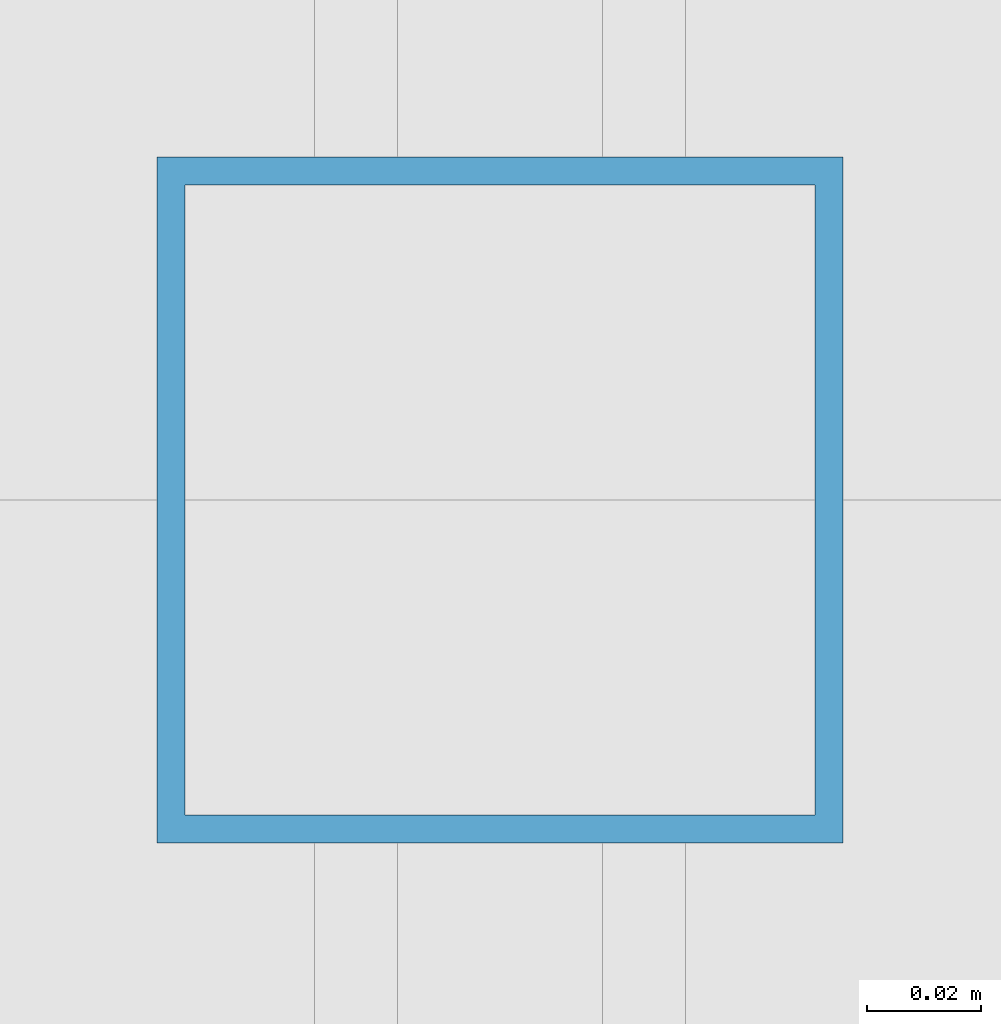
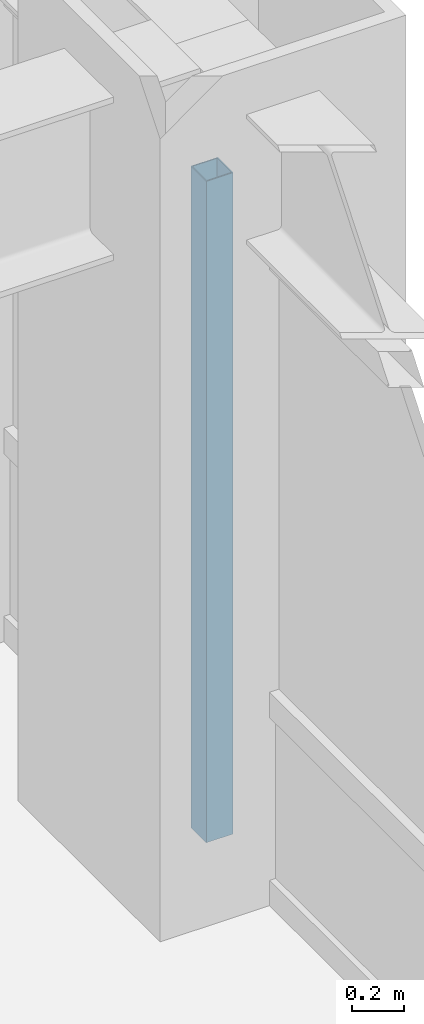
# One storey, part 10 of 24: 1 member, 1 element without a shape of its own.
"""IFC4 building model written with IfcOpenShell, lengths in metres."""

import ifcopenshell
import ifcopenshell.guid

model = None  # the IFC model being written
_history = None  # IfcOwnerHistory: only IFC2X3 demands one
_inside = {}  # id of a spatial element -> (the spatial element, [elements in it])
_under = {}  # id of a project, library or spatial element -> (it, [spatial elements below it])
_declared = {}  # id of a project -> (the project, [libraries it declares])
_typed = {}  # id of a type object -> (the type object, [elements of that type])
_made_of = {}  # id of a material, layer set ... -> (it, [elements and type objects made of it])


def new_model(schema):
    """Start an empty IFC model of exactly this schema.

    Asked for "IFC4X3", IfcOpenShell would pick the latest addendum, in which some entities
    have other attributes; the version numbers below select the first issue.
    IFC2X3 requires an IfcOwnerHistory on every rooted entity: one is made here for all.
    """
    global model, _history
    if schema == "IFC4X3":
        model = ifcopenshell.file(schema_version=(4, 3, 0, 0))
    else:
        model = ifcopenshell.file(schema=schema)
    _inside.clear()
    _under.clear()
    _declared.clear()
    _typed.clear()
    _made_of.clear()
    _history = None
    if model.schema == "IFC2X3":
        org = make("IfcOrganization", Name="unknown")
        user = make(
            "IfcPersonAndOrganization",
            ThePerson=make("IfcPerson", FamilyName="unknown"),
            TheOrganization=org,
        )
        app = make(
            "IfcApplication",
            ApplicationDeveloper=org,
            Version="unknown",
            ApplicationFullName="unknown",
            ApplicationIdentifier="unknown",
        )
        _history = make(
            "IfcOwnerHistory",
            OwningUser=user,
            OwningApplication=app,
            ChangeAction="ADDED",
            CreationDate=0,
        )
    return model


def make(cls, **values):
    """One entity of the class cls with the attributes given. An attribute that is None is left unset."""
    return model.create_entity(
        cls, **{name: value for name, value in values.items() if value is not None}
    )


def rooted(cls, **values):
    """An entity with a GlobalId (a new one), such as an element, a storey or a relation."""
    return make(cls, GlobalId=ifcopenshell.guid.new(), OwnerHistory=_history, **values)


def si_unit(unit_type, name, prefix=None):
    """IfcSIUnit, for example si_unit("LENGTHUNIT", "METRE", prefix="MILLI")."""
    return make("IfcSIUnit", UnitType=unit_type, Prefix=prefix, Name=name)


def assignment(units):
    """IfcUnitAssignment: the units of a project."""
    return None if units is None else make("IfcUnitAssignment", Units=units)


def point(xyz):
    """IfcCartesianPoint."""
    return None if xyz is None else make("IfcCartesianPoint", Coordinates=xyz)


def direction(xyz):
    """IfcDirection."""
    return None if xyz is None else make("IfcDirection", DirectionRatios=xyz)


def frame(location, z_axis=None, x_axis=None):
    """IfcAxis2Placement3D, a coordinate frame: its origin and axes. An axis left out is left unset."""
    return make(
        "IfcAxis2Placement3D",
        Location=point(location),
        Axis=direction(z_axis),
        RefDirection=direction(x_axis),
    )


def frame_2d(location, x_axis=None):
    """IfcAxis2Placement2D, a coordinate frame in the plane: its origin and x axis."""
    return make(
        "IfcAxis2Placement2D", Location=point(location), RefDirection=direction(x_axis)
    )


def origin():
    """The frame at (0, 0, 0) with its axes left unset."""
    return frame((0.0, 0.0, 0.0))


def origin_2d():
    """The frame at (0, 0) in the plane with its x axis left unset."""
    return frame_2d((0.0, 0.0))


def place(relative_to, where):
    """IfcLocalPlacement: puts the frame where relative to a parent placement (None: the world)."""
    return make(
        "IfcLocalPlacement", PlacementRelTo=relative_to, RelativePlacement=where
    )


def context(
    kind, dimensions, precision=None, world=None, true_north=None, identifier=None
):
    """IfcGeometricRepresentationContext, for example the 3D "Model" context."""
    return make(
        "IfcGeometricRepresentationContext",
        ContextIdentifier=identifier,
        ContextType=kind,
        CoordinateSpaceDimension=dimensions,
        Precision=precision,
        WorldCoordinateSystem=world,
        TrueNorth=true_north,
    )


def subcontext(parent, identifier, kind, view, scale=None):
    """IfcGeometricRepresentationSubContext, for example "Body" below "Model"."""
    return make(
        "IfcGeometricRepresentationSubContext",
        ContextIdentifier=identifier,
        ContextType=kind,
        ParentContext=parent,
        TargetScale=scale,
        TargetView=view,
    )


def project(units=None, contexts=None):
    """IfcProject with its units and contexts."""
    return rooted(
        "IfcProject",
        Name="project",
        RepresentationContexts=contexts,
        UnitsInContext=assignment(units),
    )


def spatial(cls, under=None, at=None, **own):
    """A site, building, storey or space (cls), placed at a placement, below another one or the project."""
    s = rooted(cls, ObjectPlacement=at, **own)
    if under is not None:
        _under.setdefault(under.id(), (under, []))[1].append(s)
    return s


def profile(cls, at=None, kind="AREA", **sizes):
    """A parametric profile (cls). Its sizes go by their IFC names, for example OverallWidth=200.0."""
    return make(cls, ProfileType=kind, Position=at, **sizes)


def hollow_rectangle(**sizes):
    """IfcRectangleHollowProfileDef."""
    return profile("IfcRectangleHollowProfileDef", **sizes)


def extrude(swept, where, along, depth):
    """IfcExtrudedAreaSolid: the profile swept, set in the frame where, extruded along a direction by depth."""
    return make(
        "IfcExtrudedAreaSolid",
        SweptArea=swept,
        Position=where,
        ExtrudedDirection=direction(along),
        Depth=depth,
    )


def shape(context_of_items, identifier, shape_type, items):
    """IfcShapeRepresentation: the items that make up one representation, for example the "Body"."""
    return make(
        "IfcShapeRepresentation",
        ContextOfItems=context_of_items,
        RepresentationIdentifier=identifier,
        RepresentationType=shape_type,
        Items=items,
    )


def source(mapping_origin, context_of_items, identifier, shape_type, items):
    """IfcRepresentationMap: a shape defined once, which mapped items show again and again."""
    return make(
        "IfcRepresentationMap",
        MappingOrigin=mapping_origin,
        MappedRepresentation=shape(context_of_items, identifier, shape_type, items),
    )


def transform(
    local_origin,
    x_axis=None,
    y_axis=None,
    z_axis=None,
    scale=None,
    scale2=None,
    scale3=None,
    uniform=True,
):
    """IfcCartesianTransformationOperator3D, or its non-uniform kind. x_axis, y_axis, z_axis: its Axis1, 2, 3."""
    if uniform:
        return make(
            "IfcCartesianTransformationOperator3D",
            Axis1=direction(x_axis),
            Axis2=direction(y_axis),
            LocalOrigin=point(local_origin),
            Scale=scale,
            Axis3=direction(z_axis),
        )
    return make(
        "IfcCartesianTransformationOperator3DnonUniform",
        Axis1=direction(x_axis),
        Axis2=direction(y_axis),
        LocalOrigin=point(local_origin),
        Scale=scale,
        Axis3=direction(z_axis),
        Scale2=scale2,
        Scale3=scale3,
    )


def mapped(mapping_source, mapping_target):
    """IfcMappedItem: shows the shape of a source again, moved by a transform."""
    return make(
        "IfcMappedItem", MappingSource=mapping_source, MappingTarget=mapping_target
    )


def material(Name=None, Category=None):
    """IfcMaterial."""
    return make("IfcMaterial", Name=Name, Category=Category)


def material_profile(
    of_material, cross_section, Name=None, Category=None, Priority=None
):
    """IfcMaterialProfile: a cross section and its material."""
    return make(
        "IfcMaterialProfile",
        Name=Name,
        Material=of_material,
        Profile=cross_section,
        Priority=Priority,
        Category=Category,
    )


def profile_set(profiles, Name=None, composite=None):
    """IfcMaterialProfileSet."""
    return make(
        "IfcMaterialProfileSet",
        Name=Name,
        MaterialProfiles=profiles,
        CompositeProfile=composite,
    )


def made_of(thing, what):
    """Note that an element or type object is made of a material, layer set ...; save() writes the relation."""
    if what is not None:
        _made_of.setdefault(what.id(), (what, []))[1].append(thing)
    return thing


def type_object(cls, material=None, **own):
    """A type object (cls), such as IfcWallType, which elements share."""
    return made_of(rooted(cls, **own), material)


def element(
    cls,
    number,
    at=None,
    inside=None,
    cuts=None,
    type_object=None,
    material=None,
    context=None,
    identifier="Body",
    shape_type=None,
    held_by="IfcProductDefinitionShape",
    body=None,
    shapes=None,
    **own,
):
    """One element of the class cls, such as IfcWall. Its Tag is "e" and its number.

    at: its placement. inside: the storey or other place that contains it. cuts: it is an
    opening in that element (IfcRelVoidsElement). A single representation is given by context,
    identifier, shape_type and body (its items); several are given by shapes. held_by: the class
    of the entity that holds the representations. save() writes the other relations.
    """
    e = rooted(cls, Tag="e%d" % number, ObjectPlacement=at, **own)
    if body is not None:
        shapes = [shape(context, identifier, shape_type, body)]
    if shapes is not None:
        e.Representation = make(held_by, Representations=shapes)
    if inside is not None:
        _inside.setdefault(inside.id(), (inside, []))[1].append(e)
    if cuts is not None:
        rooted(
            "IfcRelVoidsElement", RelatingBuildingElement=cuts, RelatedOpeningElement=e
        )
    if type_object is not None:
        _typed.setdefault(type_object.id(), (type_object, []))[1].append(e)
    return made_of(e, material)


def aggregate(whole, parts):
    """IfcRelAggregates: a whole, such as a stair, and the parts it consists of."""
    return rooted("IfcRelAggregates", RelatingObject=whole, RelatedObjects=parts)


def save(model, path):
    """Write the relations noted so far, then the file.

    IfcRelAggregates (storeys below a building ...), IfcRelContainedInSpatialStructure (elements
    in a storey), IfcRelDefinesByType, IfcRelAssociatesMaterial and IfcRelDeclares: one each for
    every whole, place, type object, material and project.
    """
    for whole, parts in _under.values():
        aggregate(whole, parts)
    for where, things in _inside.values():
        rooted(
            "IfcRelContainedInSpatialStructure",
            RelatedElements=things,
            RelatingStructure=where,
        )
    for kind, things in _typed.values():
        rooted("IfcRelDefinesByType", RelatedObjects=things, RelatingType=kind)
    for what, things in _made_of.values():
        rooted("IfcRelAssociatesMaterial", RelatedObjects=things, RelatingMaterial=what)
    for by, libraries in _declared.values():
        rooted("IfcRelDeclares", RelatingContext=by, RelatedDefinitions=libraries)
    model.write(path)


model = new_model("IFC4")

# Units and contexts
model_context = context("Model", 3, precision=1e-05, world=origin(), true_north=direction((0.0, 1.0)))
body_context = subcontext(model_context, "Body", "Model", "MODEL_VIEW")
ifc_project = project(units=[si_unit("LENGTHUNIT", "METRE"), si_unit("AREAUNIT", "SQUARE_METRE"), si_unit("VOLUMEUNIT", "CUBIC_METRE"), si_unit("PLANEANGLEUNIT", "RADIAN"), si_unit("MASSUNIT", "GRAM", prefix="KILO")], contexts=[model_context])

# Site, building, storey
site_placement = place(None, origin())
site = spatial("IfcSite", under=ifc_project, at=site_placement, CompositionType="ELEMENT")
building_placement = place(site_placement, origin())
building = spatial("IfcBuilding", under=site, at=building_placement, Name="Khorayat Bourse Tower", CompositionType="ELEMENT")
storey_placement = place(building_placement, frame((0.0, 0.0, 203.10009765625)))
storey = spatial("IfcBuildingStorey", under=building, at=storey_placement, Name="L47", CompositionType="ELEMENT", Elevation=203.10009765625)

# Curtain wall, member
ifc_material = material(Name="Aluminium EN AW-6063 T6", Category="aluminium")
curtain_wall_type = type_object("IfcCurtainWallType", Name="CW-SYS-03", PredefinedType="NOTDEFINED", material=ifc_material)
curtain_wall_placement = place(storey_placement, origin())
curtain_wall = element("IfcCurtainWall", 1, at=curtain_wall_placement, inside=storey, type_object=curtain_wall_type, Name="L47 Curtain Wall CW-L47-E1", PredefinedType="NOTDEFINED")
ifc_material_profile = material_profile(ifc_material, hollow_rectangle(XDim=0.1201171875, YDim=0.1201171875, WallThickness=0.0048828125, at=origin_2d()), Name="ALU 120x120x5")
ifc_profile_set = profile_set([ifc_material_profile], Name="Aluminium EN AW-6063 T6")
member_type = type_object("IfcMemberType", Name="CWM-VERT-120", PredefinedType="MULLION", material=ifc_profile_set)
shared_shape = source(origin(), body_context, "Body", "SweptSolid", [
    extrude(hollow_rectangle(XDim=0.1201171875, YDim=0.1201171875, WallThickness=0.0048828125, at=origin_2d()), origin(), (0.0, 0.0, 1.0), 3.1298828125),
])
member_placement = place(storey_placement, frame((30.0, 0.0, 0.0), z_axis=(0.0, 0.0, 1.0), x_axis=(-1.0, 0.0, 0.0)))
member = element("IfcMember", 2, at=member_placement, type_object=member_type, Name="CW-L47-E1 Vertical Mullion 2", PredefinedType="MULLION", context=body_context, shape_type="MappedRepresentation", body=[
    mapped(shared_shape, transform((0.0, 0.0, 0.0), scale=1.0)),
])
aggregate(curtain_wall, [member])

save(model, "model.ifc")
